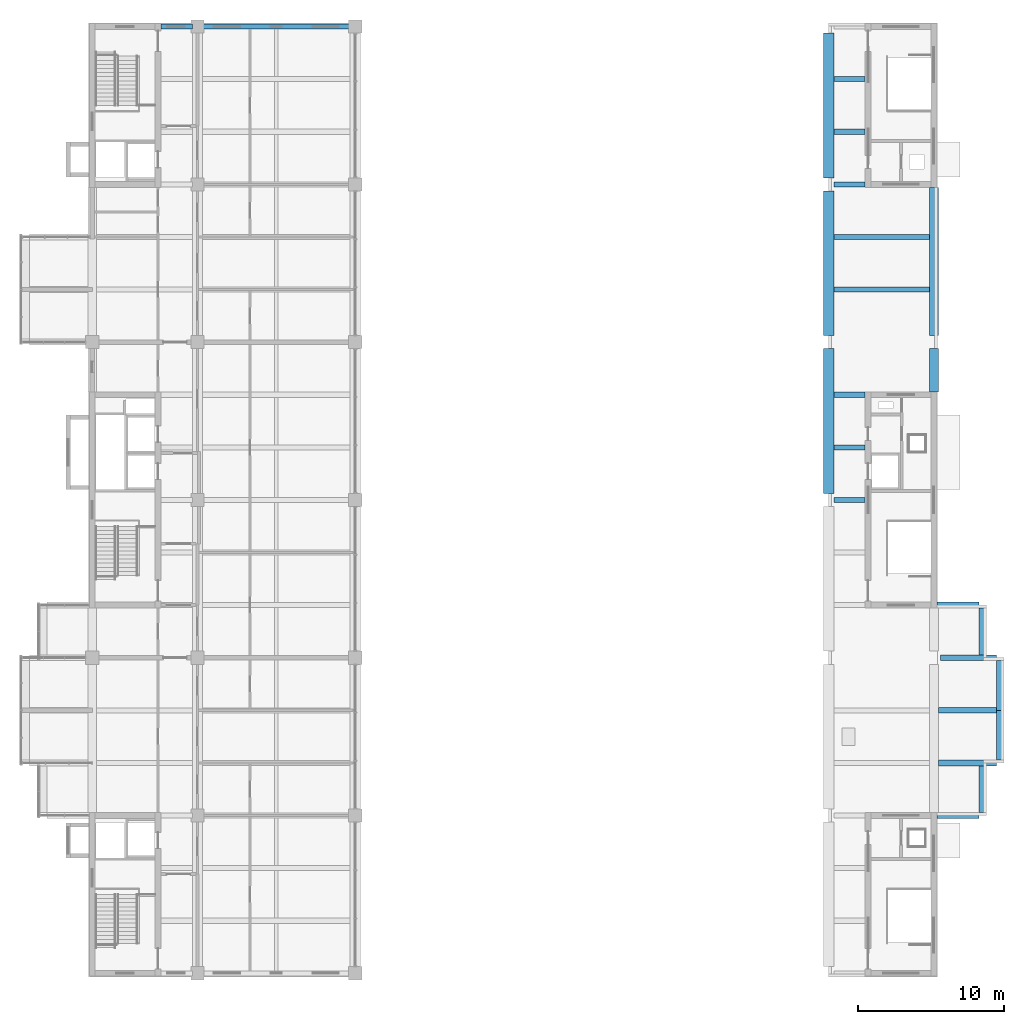
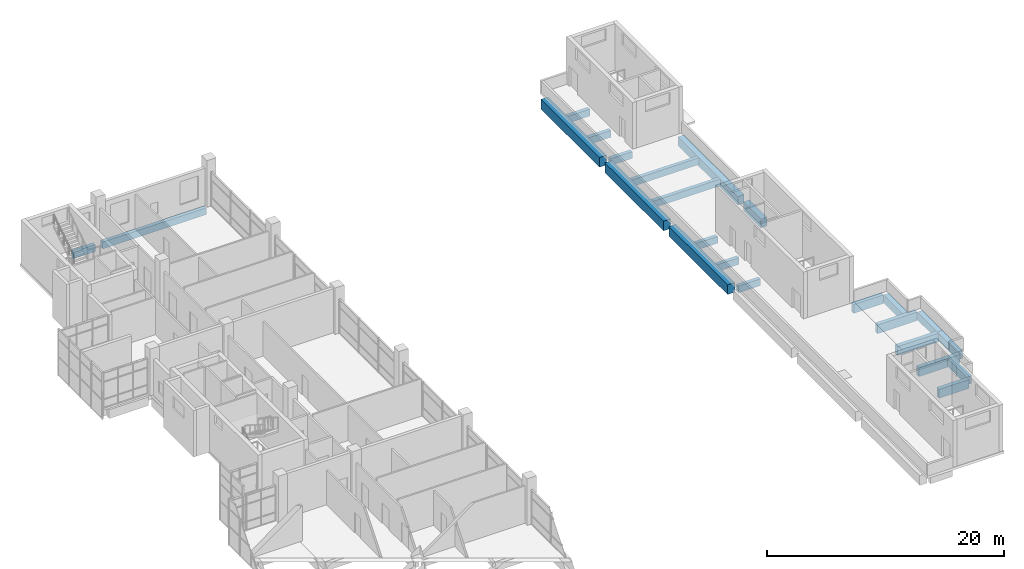
# One storey, part 10 of 23: 24 beams.
"""IFC4 building model written with IfcOpenShell, lengths in metres."""

from ifc_helpers import new_model, si_unit, direction, frame, origin, origin_2d, place, context, subcontext, project, spatial, rectangle, extrude, material, material_profile, profile_set, type_object, element, save


model = new_model("IFC4")

# Units and contexts
model_context = context("Model", 3, precision=1e-05, world=origin(), true_north=direction((0.0, 1.0)))
body_context = subcontext(model_context, "Body", "Model", "MODEL_VIEW")
ifc_project = project(units=[si_unit("LENGTHUNIT", "METRE"), si_unit("AREAUNIT", "SQUARE_METRE"), si_unit("VOLUMEUNIT", "CUBIC_METRE"), si_unit("PLANEANGLEUNIT", "RADIAN"), si_unit("MASSUNIT", "GRAM", prefix="KILO")], contexts=[model_context])

# Site, building, storey
site_placement = place(None, origin())
site = spatial("IfcSite", under=ifc_project, at=site_placement, CompositionType="ELEMENT")
building_placement = place(site_placement, origin())
building = spatial("IfcBuilding", under=site, at=building_placement, Name="Basin Gate Institute", CompositionType="ELEMENT")
storey_placement = place(building_placement, frame((0.0, 0.0, 46.199951171875)))
storey = spatial("IfcBuildingStorey", under=building, at=storey_placement, Name="L09", CompositionType="ELEMENT", Elevation=46.199951171875)

# Beams
ifc_material_1 = material(Name="Concrete 40 MPa", Category="concrete")
ifc_material_profile_1 = material_profile(ifc_material_1, rectangle(XDim=0.35009765625, YDim=0.699951171875, at=origin_2d()), Name="Beam B1 350 x 700")
ifc_profile_set_1 = profile_set([ifc_material_profile_1], Name="Concrete 40 MPa")
beam_type_1 = type_object("IfcBeamType", Name="Beam B1 R120", PredefinedType="BEAM", material=ifc_profile_set_1)
beam_1_placement = place(storey_placement, frame((68.75, 99.89990234375, -0.599853515625), z_axis=(1.0, 0.0, 0.0), x_axis=(0.0, 1.0, 0.0)))
element("IfcBeam", 1, at=beam_1_placement, inside=storey, type_object=beam_type_1, material=ifc_profile_set_1, Name="BEAM/L09/W/EW/19", PredefinedType="BEAM", context=body_context, shape_type="SweptSolid", body=[
    extrude(rectangle(XDim=0.35009765625, YDim=0.699951171875, at=origin_2d()), origin(), (0.0, 0.0, 1.0), 10.10009765625),
])
for number, where, z_axis, x_axis, name in (
    (2, (65.89990234375, 99.89990234375, -0.599853515625), (1.0, 0.0, 0.0), (0.0, 1.0, 0.0), "BEAM/L09/W/CORR/19"),
    (3, (114.10009765625, 67.5, -0.599853515625), (-1.0, 0.0, 0.0), (0.0, -1.0, 0.0), "BEAM/L09/E/CORR/10"),
    (4, (114.10009765625, 71.10009765625, -0.599853515625), (-1.0, 0.0, 0.0), (0.0, -1.0, 0.0), "BEAM/L09/E/CORR/11"),
    (5, (114.10009765625, 74.699951171875, -0.599853515625), (-1.0, 0.0, 0.0), (0.0, -1.0, 0.0), "BEAM/L09/E/CORR/12"),
):
    element("IfcBeam", number, at=place(storey_placement, frame(where, z_axis=z_axis, x_axis=x_axis)), inside=storey, type_object=beam_type_1, material=ifc_profile_set_1, Name=name, PredefinedType="BEAM", context=body_context, shape_type="SweptSolid", body=[
        extrude(rectangle(XDim=0.35009765625, YDim=0.699951171875, at=origin_2d()), origin(), (0.0, 0.0, 1.0), 2.150146484375),
    ])
for number, where, z_axis, x_axis, name in (
    (6, (118.5, 81.89990234375, -0.599853515625), (-1.0, 0.0, 0.0), (0.0, -1.0, 0.0), "BEAM/L09/E/OUT/14"),
    (7, (118.5, 85.5, -0.599853515625), (-1.0, 0.0, 0.0), (0.0, -1.0, 0.0), "BEAM/L09/E/OUT/15"),
):
    element("IfcBeam", number, at=place(storey_placement, frame(where, z_axis=z_axis, x_axis=x_axis)), inside=storey, type_object=beam_type_1, material=ifc_profile_set_1, Name=name, PredefinedType="BEAM", context=body_context, shape_type="SweptSolid", body=[
        extrude(rectangle(XDim=0.35009765625, YDim=0.699951171875, at=origin_2d()), origin(), (0.0, 0.0, 1.0), 6.550048828125),
    ])
for number, where, z_axis, x_axis, name in (
    (8, (114.10009765625, 89.10009765625, -0.599853515625), (-1.0, 0.0, 0.0), (0.0, -1.0, 0.0), "BEAM/L09/E/CORR/16"),
    (9, (114.10009765625, 92.699951171875, -0.599853515625), (-1.0, 0.0, 0.0), (0.0, -1.0, 0.0), "BEAM/L09/E/CORR/17"),
    (10, (114.10009765625, 96.300048828125, -0.599853515625), (-1.0, 0.0, 0.0), (0.0, -1.0, 0.0), "BEAM/L09/E/CORR/18"),
):
    element("IfcBeam", number, at=place(storey_placement, frame(where, z_axis=z_axis, x_axis=x_axis)), inside=storey, type_object=beam_type_1, material=ifc_profile_set_1, Name=name, PredefinedType="BEAM", context=body_context, shape_type="SweptSolid", body=[
        extrude(rectangle(XDim=0.35009765625, YDim=0.699951171875, at=origin_2d()), origin(), (0.0, 0.0, 1.0), 2.150146484375),
    ])
ifc_material_2 = material(Name="Concrete 50 MPa", Category="concrete")
ifc_material_profile_2 = material_profile(ifc_material_2, rectangle(XDim=0.39990234375, YDim=0.89990234375, at=origin_2d()), Name="Cantilever beam B3 400 x 900")
ifc_profile_set_2 = profile_set([ifc_material_profile_2], Name="Concrete 50 MPa")
beam_type_2 = type_object("IfcBeamType", Name="Cantilever beam B3 R120", PredefinedType="BEAM", material=ifc_profile_set_2)
beam_2_placement = place(storey_placement, frame((121.89990234375, 45.89990234375, -0.699951171875), z_axis=(-1.0, 0.0, 0.0), x_axis=(0.0, -1.0, 0.0)))
element("IfcBeam", 11, at=beam_2_placement, inside=storey, type_object=beam_type_2, material=ifc_profile_set_2, Name="BEAM/L09/E/CANT/04", PredefinedType="BEAM", context=body_context, shape_type="SweptSolid", body=[
    extrude(rectangle(XDim=0.39990234375, YDim=0.89990234375, at=origin_2d()), origin(), (0.0, 0.0, 1.0), 2.89990234375),
])
for number, where, z_axis, x_axis, name in (
    (12, (123.10009765625, 49.5, -0.699951171875), (-1.0, 0.0, 0.0), (0.0, -1.0, 0.0), "BEAM/L09/E/CANT/05"),
    (13, (123.10009765625, 53.10009765625, -0.699951171875), (-1.0, 0.0, 0.0), (0.0, -1.0, 0.0), "BEAM/L09/E/CANT/06"),
):
    element("IfcBeam", number, at=place(storey_placement, frame(where, z_axis=z_axis, x_axis=x_axis)), inside=storey, type_object=beam_type_2, material=ifc_profile_set_2, Name=name, PredefinedType="BEAM", context=body_context, shape_type="SweptSolid", body=[
        extrude(rectangle(XDim=0.39990234375, YDim=0.89990234375, at=origin_2d()), origin(), (0.0, 0.0, 1.0), 4.0),
    ])
beam_3_placement = place(storey_placement, frame((123.10009765625, 56.699951171875, -0.699951171875), z_axis=(-1.0, 0.0, 0.0), x_axis=(0.0, -1.0, 0.0)))
element("IfcBeam", 14, at=beam_3_placement, inside=storey, type_object=beam_type_2, material=ifc_profile_set_2, Name="BEAM/L09/E/CANT/07", PredefinedType="BEAM", context=body_context, shape_type="SweptSolid", body=[
    extrude(rectangle(XDim=0.39990234375, YDim=0.89990234375, at=origin_2d()), origin(), (0.0, 0.0, 1.0), 3.85009765625),
])
beam_4_placement = place(storey_placement, frame((121.89990234375, 60.300048828125, -0.699951171875), z_axis=(-1.0, 0.0, 0.0), x_axis=(0.0, -1.0, 0.0)))
element("IfcBeam", 15, at=beam_4_placement, inside=storey, type_object=beam_type_2, material=ifc_profile_set_2, Name="BEAM/L09/E/CANT/08", PredefinedType="BEAM", context=body_context, shape_type="SweptSolid", body=[
    extrude(rectangle(XDim=0.39990234375, YDim=0.89990234375, at=origin_2d()), origin(), (0.0, 0.0, 1.0), 2.89990234375),
])
ifc_material_3 = material(Name="Concrete 50 MPa", Category="concrete")
ifc_material_profile_3 = material_profile(ifc_material_3, rectangle(XDim=0.60009765625, YDim=0.89990234375, at=origin_2d()), Name="Edge beam EB1 600 x 900")
ifc_profile_set_3 = profile_set([ifc_material_profile_3], Name="Concrete 50 MPa")
beam_type_3 = type_object("IfcBeamType", Name="Edge beam EB1 R120", PredefinedType="SPANDREL", material=ifc_profile_set_3)
beam_5_placement = place(storey_placement, frame((118.800048828125, 78.75, -0.699951171875), z_axis=(0.0, 1.0, 0.0), x_axis=(-1.0, 0.0, 0.0)))
element("IfcBeam", 16, at=beam_5_placement, inside=storey, type_object=beam_type_3, material=ifc_profile_set_3, Name="BEAM/L09/E/EDGE/4", PredefinedType="SPANDREL", context=body_context, shape_type="SweptSolid", body=[
    extrude(rectangle(XDim=0.60009765625, YDim=0.89990234375, at=origin_2d()), origin(), (0.0, 0.0, 1.0), 10.14990234375),
])
ifc_material_4 = material(Name="Concrete 50 MPa", Category="concrete")
ifc_material_profile_4 = material_profile(ifc_material_4, rectangle(XDim=0.60009765625, YDim=0.89990234375, at=origin_2d()), Name="Edge return beam EB3 600 x 900")
ifc_profile_set_4 = profile_set([ifc_material_profile_4], Name="Concrete 50 MPa")
beam_type_4 = type_object("IfcBeamType", Name="Edge return beam EB3 R120", PredefinedType="SPANDREL", material=ifc_profile_set_4)
beam_6_placement = place(storey_placement, frame((118.800048828125, 74.89990234375, -0.699951171875), z_axis=(0.0, 1.0, 0.0), x_axis=(-1.0, 0.0, 0.0)))
element("IfcBeam", 17, at=beam_6_placement, inside=storey, type_object=beam_type_4, material=ifc_profile_set_4, Name="BEAM/L09/E/EDGE/3", PredefinedType="SPANDREL", context=body_context, shape_type="SweptSolid", body=[
    extrude(rectangle(XDim=0.60009765625, YDim=0.89990234375, at=origin_2d()), origin(), (0.0, 0.0, 1.0), 2.9501953125),
])
ifc_material_5 = material(Name="Concrete 50 MPa", Category="concrete")
ifc_material_profile_5 = material_profile(ifc_material_5, rectangle(XDim=0.699951171875, YDim=1.0, at=origin_2d()), Name="Girder G1 700 x 1000")
ifc_profile_set_5 = profile_set([ifc_material_profile_5], Name="Concrete 50 MPa")
beam_type_5 = type_object("IfcBeamType", Name="Girder G1 R120", PredefinedType="BEAM", material=ifc_profile_set_5)
beam_7_placement = place(storey_placement, frame((111.60009765625, 67.949951171875, -0.75), z_axis=(0.0, 1.0, 0.0), x_axis=(-1.0, 0.0, 0.0)))
element("IfcBeam", 18, at=beam_7_placement, inside=storey, type_object=beam_type_5, material=ifc_profile_set_5, Name="GIR/L09/E8/4", PredefinedType="BEAM", context=body_context, shape_type="SweptSolid", body=[
    extrude(rectangle(XDim=0.699951171875, YDim=1.0, at=origin_2d()), origin(), (0.0, 0.0, 1.0), 9.900146484375),
])
for number, where, z_axis, x_axis, name in (
    (19, (111.60009765625, 78.75, -0.75), (0.0, 1.0, 0.0), (-1.0, 0.0, 0.0), "GIR/L09/E8/5"),
    (20, (111.60009765625, 89.550048828125, -0.75), (0.0, 1.0, 0.0), (-1.0, 0.0, 0.0), "GIR/L09/E8/6"),
):
    element("IfcBeam", number, at=place(storey_placement, frame(where, z_axis=z_axis, x_axis=x_axis)), inside=storey, type_object=beam_type_5, material=ifc_profile_set_5, Name=name, PredefinedType="BEAM", context=body_context, shape_type="SweptSolid", body=[
        extrude(rectangle(XDim=0.699951171875, YDim=1.0, at=origin_2d()), origin(), (0.0, 0.0, 1.0), 9.89990234375),
    ])
ifc_material_6 = material(Name="Concrete 50 MPa", Category="concrete")
ifc_material_profile_6 = material_profile(ifc_material_6, rectangle(XDim=0.5, YDim=0.800048828125, at=origin_2d()), Name="Tip beam TB1 500 x 800")
ifc_profile_set_6 = profile_set([ifc_material_profile_6], Name="Concrete 50 MPa")
beam_type_6 = type_object("IfcBeamType", Name="Tip beam TB1 R120", PredefinedType="SPANDREL", material=ifc_profile_set_6)
beam_8_placement = place(storey_placement, frame((122.14990234375, 46.10009765625, -0.64990234375), z_axis=(0.0, 1.0, 0.0), x_axis=(-1.0, 0.0, 0.0)))
element("IfcBeam", 21, at=beam_8_placement, inside=storey, type_object=beam_type_6, material=ifc_profile_set_6, Name="BEAM/L09/E/TIP/1", PredefinedType="SPANDREL", context=body_context, shape_type="SweptSolid", body=[
    extrude(rectangle(XDim=0.5, YDim=0.800048828125, at=origin_2d()), origin(), (0.0, 0.0, 1.0), 3.199951171875),
])
beam_9_placement = place(storey_placement, frame((123.35009765625, 49.699951171875, -0.64990234375), z_axis=(0.0, 1.0, 0.0), x_axis=(-1.0, 0.0, 0.0)))
element("IfcBeam", 22, at=beam_9_placement, inside=storey, type_object=beam_type_6, material=ifc_profile_set_6, Name="BEAM/L09/E/TIP/2", PredefinedType="SPANDREL", context=body_context, shape_type="SweptSolid", body=[
    extrude(rectangle(XDim=0.5, YDim=0.800048828125, at=origin_2d()), origin(), (0.0, 0.0, 1.0), 3.400146484375),
])
beam_10_placement = place(storey_placement, frame((123.35009765625, 53.10009765625, -0.64990234375), z_axis=(0.0, 1.0, 0.0), x_axis=(-1.0, 0.0, 0.0)))
element("IfcBeam", 23, at=beam_10_placement, inside=storey, type_object=beam_type_6, material=ifc_profile_set_6, Name="BEAM/L09/E/TIP/3", PredefinedType="SPANDREL", context=body_context, shape_type="SweptSolid", body=[
    extrude(rectangle(XDim=0.5, YDim=0.800048828125, at=origin_2d()), origin(), (0.0, 0.0, 1.0), 3.39990234375),
])
beam_11_placement = place(storey_placement, frame((122.14990234375, 56.89990234375, -0.64990234375), z_axis=(0.0, 1.0, 0.0), x_axis=(-1.0, 0.0, 0.0)))
element("IfcBeam", 24, at=beam_11_placement, inside=storey, type_object=beam_type_6, material=ifc_profile_set_6, Name="BEAM/L09/E/TIP/4", PredefinedType="SPANDREL", context=body_context, shape_type="SweptSolid", body=[
    extrude(rectangle(XDim=0.5, YDim=0.800048828125, at=origin_2d()), origin(), (0.0, 0.0, 1.0), 3.2001953125),
])

save(model, "model.ifc")
